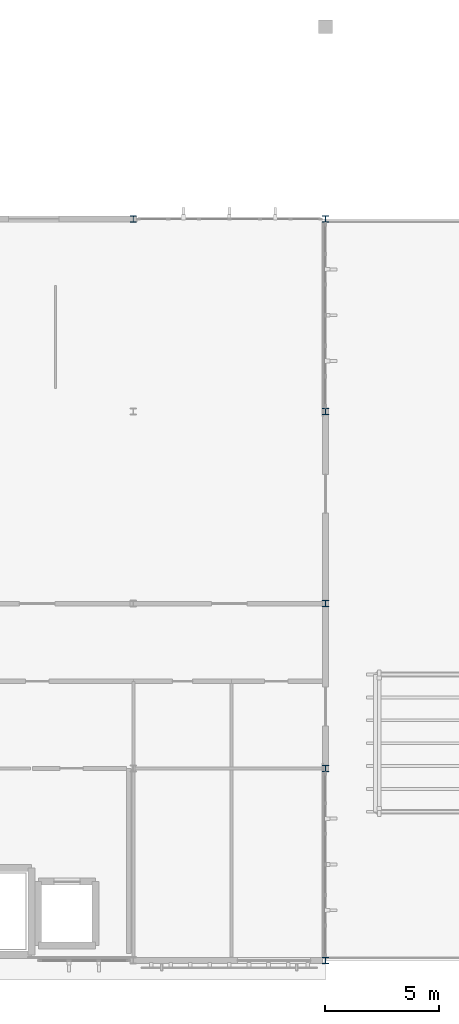
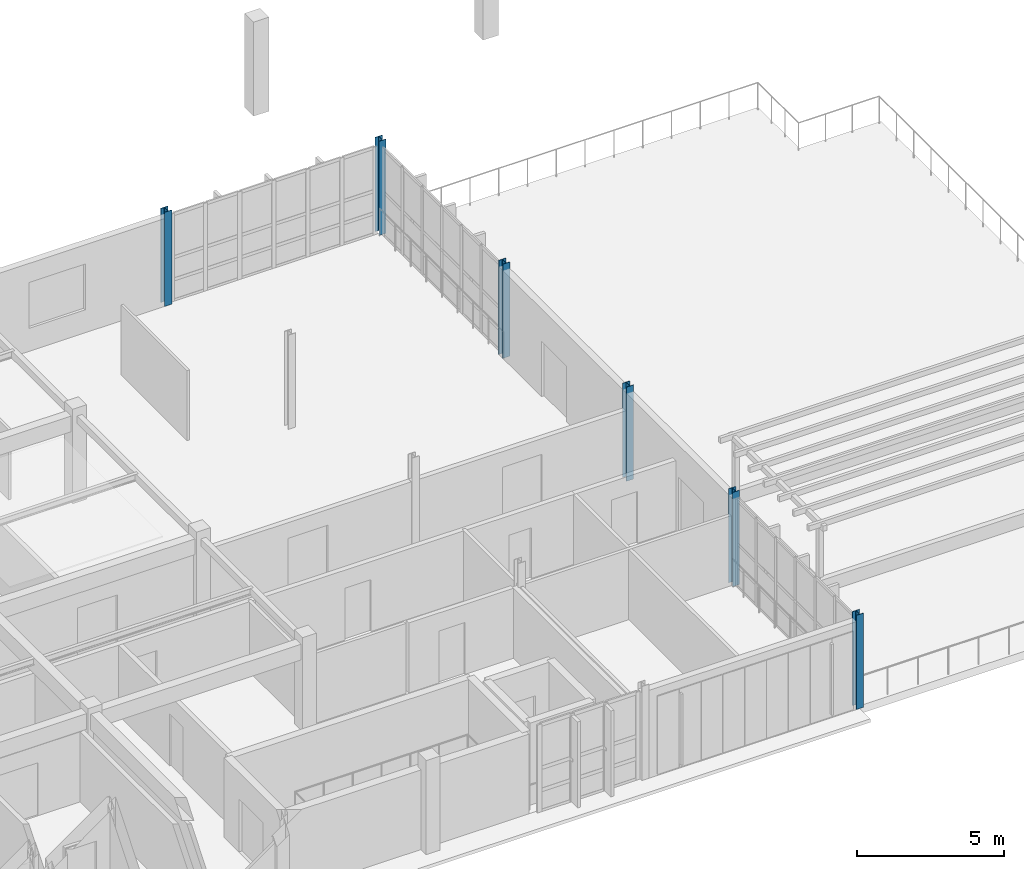
# One storey, part 4 of 35: 6 columns.
"""IFC4 building model written with IfcOpenShell, lengths in metres."""

from ifc_helpers import new_model, si_unit, direction, frame, origin, origin_2d, place, context, subcontext, project, spatial, i_section, extrude, material, material_profile, profile_set, type_object, element, save


model = new_model("IFC4")

# Units and contexts
model_context = context("Model", 3, precision=1e-05, world=origin(), true_north=direction((0.0, 1.0)))
body_context = subcontext(model_context, "Body", "Model", "MODEL_VIEW")
ifc_project = project(units=[si_unit("LENGTHUNIT", "METRE"), si_unit("AREAUNIT", "SQUARE_METRE"), si_unit("VOLUMEUNIT", "CUBIC_METRE"), si_unit("PLANEANGLEUNIT", "RADIAN"), si_unit("MASSUNIT", "GRAM", prefix="KILO")], contexts=[model_context])

# Site, building, storey
site_placement = place(None, origin())
site = spatial("IfcSite", under=ifc_project, at=site_placement, CompositionType="ELEMENT")
building_placement = place(site_placement, origin())
building = spatial("IfcBuilding", under=site, at=building_placement, Name="Tizgana Railside Sports Hall", CompositionType="ELEMENT")
storey_placement = place(building_placement, frame((0.0, 0.0, 15.89990234375)))
storey = spatial("IfcBuildingStorey", under=building, at=storey_placement, Name="L03", CompositionType="ELEMENT", Elevation=15.89990234375)

# Columns
ifc_material = material(Name="Steel S355J2", Category="steel")
ifc_material_profile = material_profile(ifc_material, i_section(OverallWidth=0.280029296875, OverallDepth=0.280029296875, WebThickness=0.010498046875, FlangeThickness=0.01806640625, FilletRadius=0.02392578125, at=origin_2d()), Name="HEB 280")
ifc_profile_set = profile_set([ifc_material_profile], Name="Steel S355J2")
column_type = type_object("IfcColumnType", Name="Steel Column HEB 280", PredefinedType="COLUMN", material=ifc_profile_set)
for number, where, z_axis, x_axis, name in (
    (1, (71.39990234375, 32.39990234375, 0.0), (0.0, 0.0, 1.0), (1.0, 0.0, 0.0), "L03 COL-0797"),
    (2, (79.800048828125, 0.0, 0.0), (0.0, 0.0, 1.0), (1.0, 0.0, 0.0), "L03 COL-0802"),
    (3, (79.800048828125, 8.39990234375, 0.0), (0.0, 0.0, 1.0), (1.0, 0.0, 0.0), "L03 COL-0807"),
    (4, (79.800048828125, 15.60009765625, 0.0), (0.0, 0.0, 1.0), (1.0, 0.0, 0.0), "L03 COL-0812"),
    (5, (79.800048828125, 24.0, 0.0), (0.0, 0.0, 1.0), (1.0, 0.0, 0.0), "L03 COL-0817"),
    (6, (79.800048828125, 32.39990234375, 0.0), (0.0, 0.0, 1.0), (1.0, 0.0, 0.0), "L03 COL-0819"),
):
    element("IfcColumn", number, at=place(storey_placement, frame(where, z_axis=z_axis, x_axis=x_axis)), inside=storey, type_object=column_type, Name=name, PredefinedType="COLUMN", context=body_context, shape_type="SweptSolid", body=[
        extrude(i_section(OverallWidth=0.280029296875, OverallDepth=0.280029296875, WebThickness=0.010498046875, FlangeThickness=0.01806640625, FilletRadius=0.02392578125, at=origin_2d()), origin(), (0.0, 0.0, 1.0), 3.900146484375),
    ])

save(model, "model.ifc")
